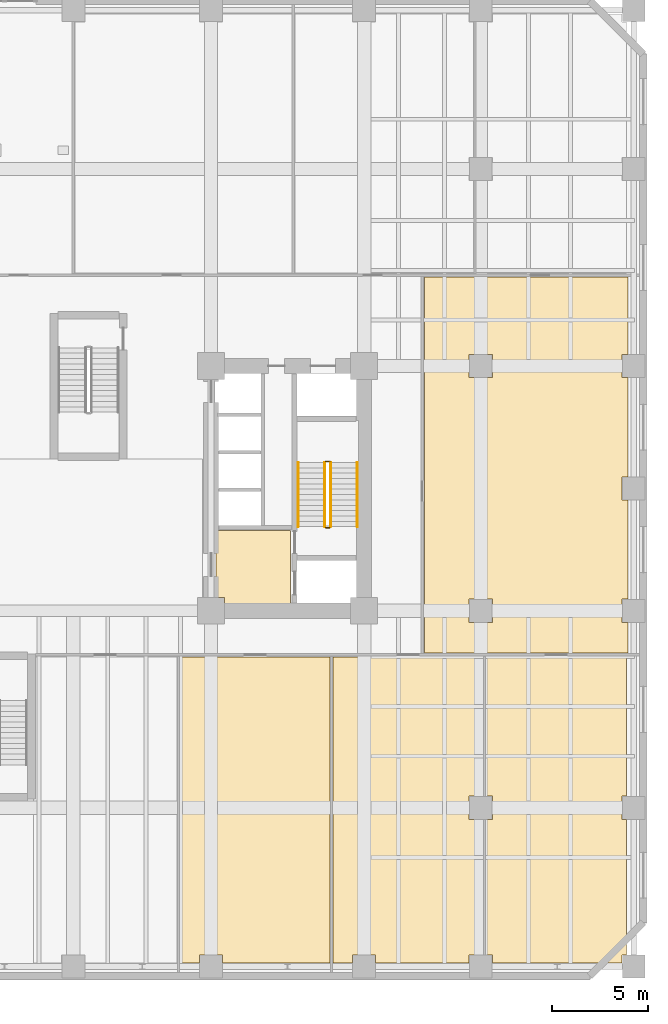
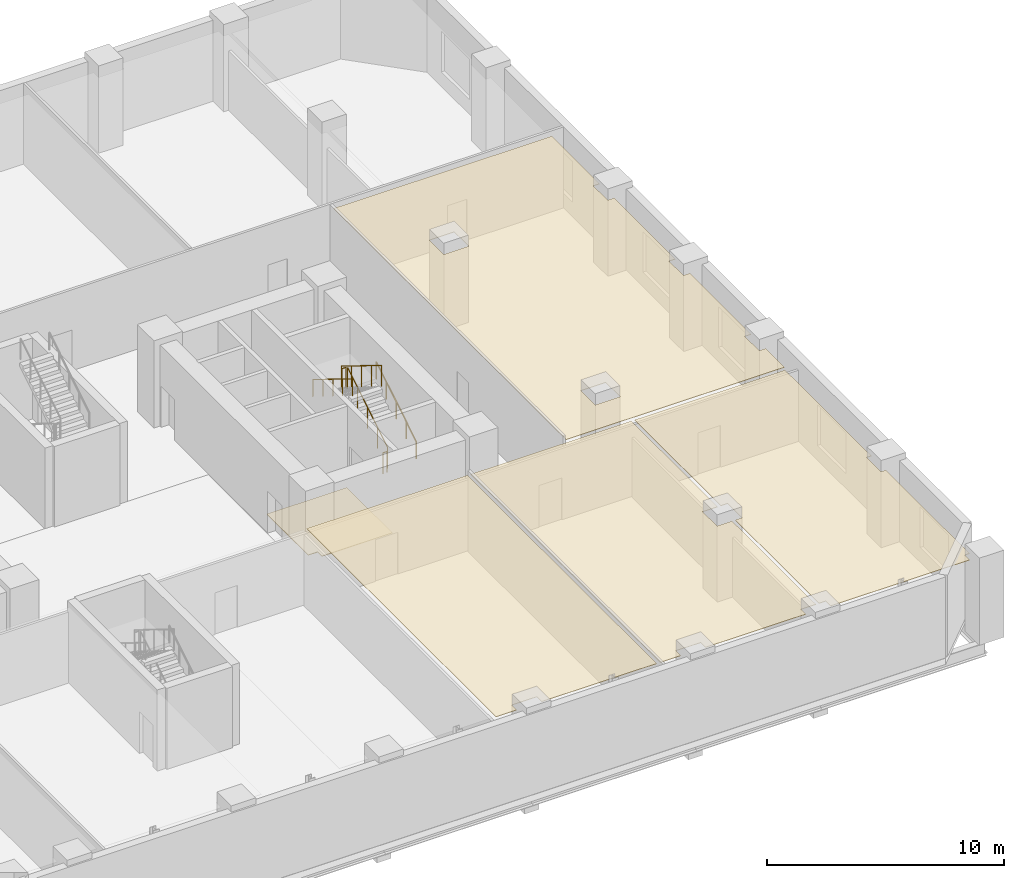
# One storey, part 12 of 15: 6 railings, 5 coverings.
"""IFC4 building model written with IfcOpenShell, lengths in metres."""

from ifc_helpers import new_model, si_unit, direction, frame, origin, origin_2d, place, context, subcontext, project, spatial, polyline, circle, outline, extrude, material, layer, layer_set, type_object, element, save


model = new_model("IFC4")

# Units and contexts
model_context = context("Model", 3, precision=1e-05, world=origin(), true_north=direction((0.0, 1.0)))
body_context = subcontext(model_context, "Body", "Model", "MODEL_VIEW")
ifc_project = project(units=[si_unit("LENGTHUNIT", "METRE"), si_unit("AREAUNIT", "SQUARE_METRE"), si_unit("VOLUMEUNIT", "CUBIC_METRE"), si_unit("PLANEANGLEUNIT", "RADIAN"), si_unit("MASSUNIT", "GRAM", prefix="KILO")], contexts=[model_context])

# Site, building, storey
site_placement = place(None, origin())
site = spatial("IfcSite", under=ifc_project, at=site_placement, CompositionType="ELEMENT")
building_placement = place(site_placement, origin())
building = spatial("IfcBuilding", under=site, at=building_placement, Name="Kranthara Brick Stack", CompositionType="ELEMENT")
storey_placement = place(building_placement, frame((0.0, 0.0, 9.89990234375)))
storey = spatial("IfcBuildingStorey", under=building, at=storey_placement, Name="L02", CompositionType="ELEMENT", Elevation=9.89990234375)

# Coverings
ifc_material_1 = material(Name="Perforated mineral-fibre acoustic ceiling tile", Category="other")
ifc_layer_1 = layer(ifc_material_1, 0.02490234375)
ifc_layer_set_1 = layer_set([ifc_layer_1], Name="Perforated mineral-fibre acoustic ceiling tile")
covering_type_1 = type_object("IfcCoveringType", Name="COV-CEIL-ACOUSTIC", PredefinedType="CEILING", material=ifc_layer_set_1)
covering_1_placement = place(storey_placement, frame((0.0, 0.0, 3.91015625)))
element("IfcCovering", 1, at=covering_1_placement, inside=storey, type_object=covering_type_1, Name="L02 Boardroom Suite Acoustic Ceiling", PredefinedType="CEILING", context=body_context, shape_type="SweptSolid", body=[
    extrude(outline(polyline([(33.580078125, 2.39990234375), (33.580078125, 18.39990234375), (41.419921875, 18.39990234375), (41.419921875, 2.39990234375), (35.81005859375, 2.39990234375), (35.81005859375, 2.81005859375), (34.590087890625, 2.81005859375), (34.590087890625, 2.39990234375), (33.580078125, 2.39990234375)])), origin(), (0.0, 0.0, 1.0), 0.02490234375),
])
covering_2_placement = place(storey_placement, frame((0.0, 0.0, 3.91015625)))
element("IfcCovering", 2, at=covering_2_placement, inside=storey, type_object=covering_type_1, Name="L02 Creative Workshop Acoustic Ceiling", PredefinedType="CEILING", context=body_context, shape_type="SweptSolid", body=[
    extrude(outline(polyline([(49.419921875, 18.39990234375), (49.419921875, 11.110107421875), (48.68994140625, 11.110107421875), (48.68994140625, 9.889892578125), (49.419921875, 9.889892578125), (49.419921875, 2.81005859375), (48.68994140625, 2.81005859375), (48.68994140625, 2.39990234375), (43.81005859375, 2.39990234375), (43.81005859375, 2.81005859375), (42.590087890625, 2.81005859375), (42.590087890625, 2.39990234375), (41.580078125, 2.39990234375), (41.580078125, 18.39990234375), (49.419921875, 18.39990234375)])), origin(), (0.0, 0.0, 1.0), 0.02490234375),
])
covering_3_placement = place(storey_placement, frame((0.0, 0.0, 3.91015625)))
element("IfcCovering", 3, at=covering_3_placement, inside=storey, type_object=covering_type_1, Name="L02 Client Salon Acoustic Ceiling", PredefinedType="CEILING", context=body_context, shape_type="SweptSolid", body=[
    extrude(outline(polyline([(56.68994140625, 11.110107421875), (56.68994140625, 9.889892578125), (56.919921875, 9.889892578125), (56.919921875, 2.81005859375), (56.68994140625, 2.81005859375), (56.68994140625, 2.39990234375), (49.909912109375, 2.39990234375), (49.909912109375, 2.81005859375), (49.580078125, 2.81005859375), (49.580078125, 9.889892578125), (49.909912109375, 9.889892578125), (49.909912109375, 11.110107421875), (49.580078125, 11.110107421875), (49.580078125, 18.39990234375), (56.919921875, 18.39990234375), (56.919921875, 11.110107421875), (56.68994140625, 11.110107421875)])), origin(), (0.0, 0.0, 1.0), 0.02490234375),
])
covering_4_placement = place(storey_placement, frame((0.0, 0.0, 3.91015625)))
element("IfcCovering", 4, at=covering_4_placement, inside=storey, type_object=covering_type_1, Name="L02 East Perimeter Office Studio Acoustic Ceiling", PredefinedType="CEILING", context=body_context, shape_type="SweptSolid", body=[
    extrude(outline(polyline([(57.0, 34.2099609375), (56.68994140625, 34.2099609375), (56.68994140625, 32.989990234375), (57.0, 32.989990234375), (57.0, 27.81005859375), (56.68994140625, 27.81005859375), (56.68994140625, 26.590087890625), (57.0, 26.590087890625), (57.0, 21.409912109375), (56.68994140625, 21.409912109375), (56.68994140625, 20.18994140625), (57.0, 20.18994140625), (57.0, 18.60009765625), (46.35009765625, 18.60009765625), (46.35009765625, 38.25), (57.0, 38.25), (57.0, 34.2099609375)]), holes=[polyline([(48.68994140625, 21.409912109375), (48.68994140625, 20.18994140625), (49.909912109375, 20.18994140625), (49.909912109375, 21.409912109375), (48.68994140625, 21.409912109375)]), polyline([(49.909912109375, 34.2099609375), (48.68994140625, 34.2099609375), (48.68994140625, 32.989990234375), (49.909912109375, 32.989990234375), (49.909912109375, 34.2099609375)])]), origin(), (0.0, 0.0, 1.0), 0.02490234375),
])
ifc_material_2 = material(Name="Honed terrazzo and porcelain floor finish", Category="stone")
ifc_layer_2 = layer(ifc_material_2, 0.030029296875)
ifc_layer_set_2 = layer_set([ifc_layer_2], Name="Honed terrazzo and porcelain floor finish")
covering_type_2 = type_object("IfcCoveringType", Name="COV-FLOR-STONE", PredefinedType="FLOORING", material=ifc_layer_set_2)
covering_5_placement = place(storey_placement, origin())
element("IfcCovering", 5, at=covering_5_placement, inside=storey, type_object=covering_type_2, Name="L02 Lift Lobby Stone Flooring", PredefinedType="FLOORING", context=body_context, shape_type="SweptSolid", body=[
    extrude(outline(polyline([(35.449951171875, 25.0), (39.35009765625, 25.0), (39.35009765625, 21.14990234375), (35.909912109375, 21.14990234375), (35.909912109375, 21.510009765625), (35.449951171875, 21.510009765625), (35.449951171875, 25.0)])), origin(), (0.0, 0.0, 1.0), 0.030029296875),
])

# Railings
ifc_material_3 = material(Name="Painted galvanized steel stair guardrail", Category="steel")
railing_type_1 = type_object("IfcRailingType", Name="RL-STAIR-GUARD-1100", PredefinedType="GUARDRAIL", material=ifc_material_3)
railing_1_placement = place(storey_placement, frame((41.449951171875, 25.199951171875, 0.173095703125)))
element("IfcRailing", 6, at=railing_1_placement, inside=storey, type_object=railing_type_1, Name="L02 ST02 stair guard 1", PredefinedType="GUARDRAIL", context=body_context, shape_type="SweptSolid", body=[
    extrude(circle(Radius=0.02392578125, at=origin_2d()), frame((0.0, 0.0, 1.076171875), z_axis=(0.0, 0.850623216509, 0.525775754039), x_axis=(-1.0, 0.0, 0.0)), (0.0, 0.0, 1.0), 3.9501953125),
    extrude(circle(Radius=0.02099609375, at=origin_2d()), origin(), (0.0, 0.0, 1.0), 1.052001953125),
    extrude(circle(Radius=0.02099609375, at=origin_2d()), frame((0.0, 0.840087890625, 0.519287109375)), (0.0, 0.0, 1.0), 1.052001953125),
    extrude(circle(Radius=0.02099609375, at=origin_2d()), frame((0.0, 1.68017578125, 1.03857421875)), (0.0, 0.0, 1.0), 1.052001953125),
    extrude(circle(Radius=0.02099609375, at=origin_2d()), frame((0.0, 2.52001953125, 1.5576171875)), (0.0, 0.0, 1.0), 1.052001953125),
    extrude(circle(Radius=0.02099609375, at=origin_2d()), frame((0.0, 3.360107421875, 2.076904296875)), (0.0, 0.0, 1.0), 1.052001953125),
])
railing_2_placement = place(storey_placement, frame((41.39990234375, 28.610107421875, 2.25)))
element("IfcRailing", 7, at=railing_2_placement, inside=storey, type_object=railing_type_1, Name="L02 ST02 stair guard 2", PredefinedType="GUARDRAIL", context=body_context, shape_type="SweptSolid", body=[
    extrude(circle(Radius=0.02392578125, at=origin_2d()), frame((0.0, 0.0, 1.076171875), z_axis=(-1.0, 0.0, 0.0), x_axis=(0.0, -1.0, 0.0)), (0.0, 0.0, 1.0), 0.199951171875),
    extrude(circle(Radius=0.02099609375, at=origin_2d()), origin(), (0.0, 0.0, 1.0), 1.052001953125),
    extrude(circle(Radius=0.02099609375, at=origin_2d()), frame((-0.199951171875, 0.0, 0.0)), (0.0, 0.0, 1.0), 1.052001953125),
])
railing_3_placement = place(storey_placement, frame((41.14990234375, 28.56005859375, 2.423095703125)))
element("IfcRailing", 8, at=railing_3_placement, inside=storey, type_object=railing_type_1, Name="L02 ST02 stair guard 3", PredefinedType="GUARDRAIL", context=body_context, shape_type="SweptSolid", body=[
    extrude(circle(Radius=0.02392578125, at=origin_2d()), frame((0.0, 0.0, 1.076171875), z_axis=(0.0, -0.850623216509, 0.525775754039), x_axis=(1.0, 0.0, 0.0)), (0.0, 0.0, 1.0), 3.9501953125),
    extrude(circle(Radius=0.02099609375, at=origin_2d()), origin(), (0.0, 0.0, 1.0), 1.052001953125),
    extrude(circle(Radius=0.02099609375, at=origin_2d()), frame((0.0, -0.840087890625, 0.519287109375)), (0.0, 0.0, 1.0), 1.052001953125),
    extrude(circle(Radius=0.02099609375, at=origin_2d()), frame((0.0, -1.68017578125, 1.03857421875)), (0.0, 0.0, 1.0), 1.052001953125),
    extrude(circle(Radius=0.02099609375, at=origin_2d()), frame((0.0, -2.52001953125, 1.5576171875)), (0.0, 0.0, 1.0), 1.052001953125),
    extrude(circle(Radius=0.02099609375, at=origin_2d()), frame((0.0, -3.360107421875, 2.076904296875)), (0.0, 0.0, 1.0), 1.052001953125),
])
railing_4_placement = place(storey_placement, frame((41.39990234375, 25.14990234375, 0.0)))
element("IfcRailing", 9, at=railing_4_placement, inside=storey, type_object=railing_type_1, Name="L02 ST02 stair guard 4", PredefinedType="GUARDRAIL", context=body_context, shape_type="SweptSolid", body=[
    extrude(circle(Radius=0.02392578125, at=origin_2d()), frame((0.0, 0.0, 1.076171875), z_axis=(-1.0, 0.0, 0.0), x_axis=(0.0, -1.0, 0.0)), (0.0, 0.0, 1.0), 0.199951171875),
    extrude(circle(Radius=0.02099609375, at=origin_2d()), origin(), (0.0, 0.0, 1.0), 1.052001953125),
    extrude(circle(Radius=0.02099609375, at=origin_2d()), frame((-0.199951171875, 0.0, 0.0)), (0.0, 0.0, 1.0), 1.052001953125),
])
ifc_material_4 = material(Name="Brushed stainless steel tubular handrail", Category="steel")
railing_type_2 = type_object("IfcRailingType", Name="RL-STAIR-HAND-900", PredefinedType="HANDRAIL", material=ifc_material_4)
railing_5_placement = place(storey_placement, frame((42.85009765625, 25.199951171875, 0.173095703125)))
element("IfcRailing", 10, at=railing_5_placement, inside=storey, type_object=railing_type_2, Name="L02 ST02 stair handrail 1", PredefinedType="HANDRAIL", context=body_context, shape_type="SweptSolid", body=[
    extrude(circle(Radius=0.02392578125, at=origin_2d()), frame((0.0, 0.0, 0.8759765625), z_axis=(0.0, 0.850623216509, 0.525775754039), x_axis=(-1.0, 0.0, 0.0)), (0.0, 0.0, 1.0), 3.9501953125),
    extrude(circle(Radius=0.02099609375, at=origin_2d()), origin(), (0.0, 0.0, 1.0), 0.851806640625),
    extrude(circle(Radius=0.02099609375, at=origin_2d()), frame((0.0, 0.840087890625, 0.519287109375)), (0.0, 0.0, 1.0), 0.851806640625),
    extrude(circle(Radius=0.02099609375, at=origin_2d()), frame((0.0, 1.68017578125, 1.03857421875)), (0.0, 0.0, 1.0), 0.851806640625),
    extrude(circle(Radius=0.02099609375, at=origin_2d()), frame((0.0, 2.52001953125, 1.5576171875)), (0.0, 0.0, 1.0), 0.851806640625),
    extrude(circle(Radius=0.02099609375, at=origin_2d()), frame((0.0, 3.360107421875, 2.076904296875)), (0.0, 0.0, 1.0), 0.851806640625),
])
railing_6_placement = place(storey_placement, frame((39.75, 28.56005859375, 2.423095703125)))
element("IfcRailing", 11, at=railing_6_placement, inside=storey, type_object=railing_type_2, Name="L02 ST02 stair handrail 2", PredefinedType="HANDRAIL", context=body_context, shape_type="SweptSolid", body=[
    extrude(circle(Radius=0.02392578125, at=origin_2d()), frame((0.0, 0.0, 0.8759765625), z_axis=(0.0, -0.850623216509, 0.525775754039), x_axis=(1.0, 0.0, 0.0)), (0.0, 0.0, 1.0), 3.9501953125),
    extrude(circle(Radius=0.02099609375, at=origin_2d()), origin(), (0.0, 0.0, 1.0), 0.851806640625),
    extrude(circle(Radius=0.02099609375, at=origin_2d()), frame((0.0, -0.840087890625, 0.519287109375)), (0.0, 0.0, 1.0), 0.851806640625),
    extrude(circle(Radius=0.02099609375, at=origin_2d()), frame((0.0, -1.68017578125, 1.03857421875)), (0.0, 0.0, 1.0), 0.851806640625),
    extrude(circle(Radius=0.02099609375, at=origin_2d()), frame((0.0, -2.52001953125, 1.5576171875)), (0.0, 0.0, 1.0), 0.851806640625),
    extrude(circle(Radius=0.02099609375, at=origin_2d()), frame((0.0, -3.360107421875, 2.076904296875)), (0.0, 0.0, 1.0), 0.851806640625),
])

save(model, "model.ifc")
